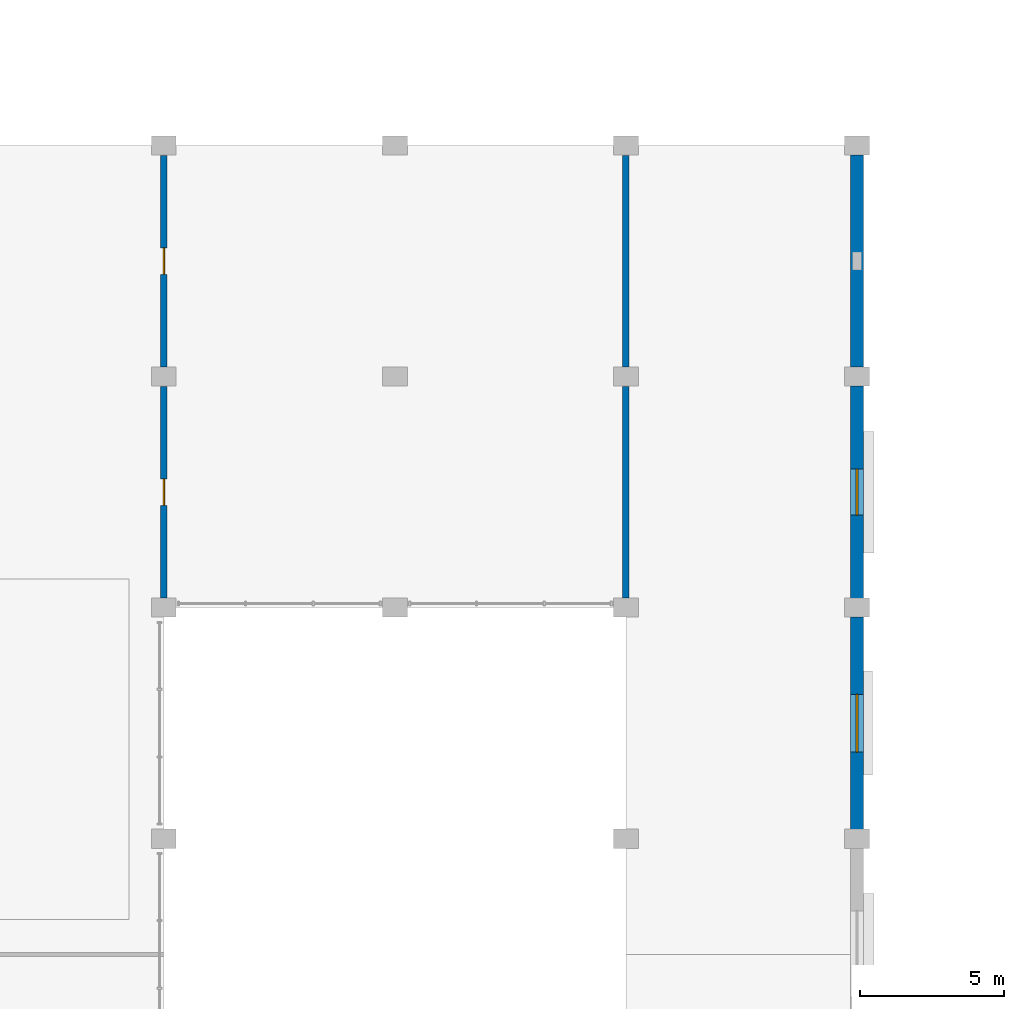
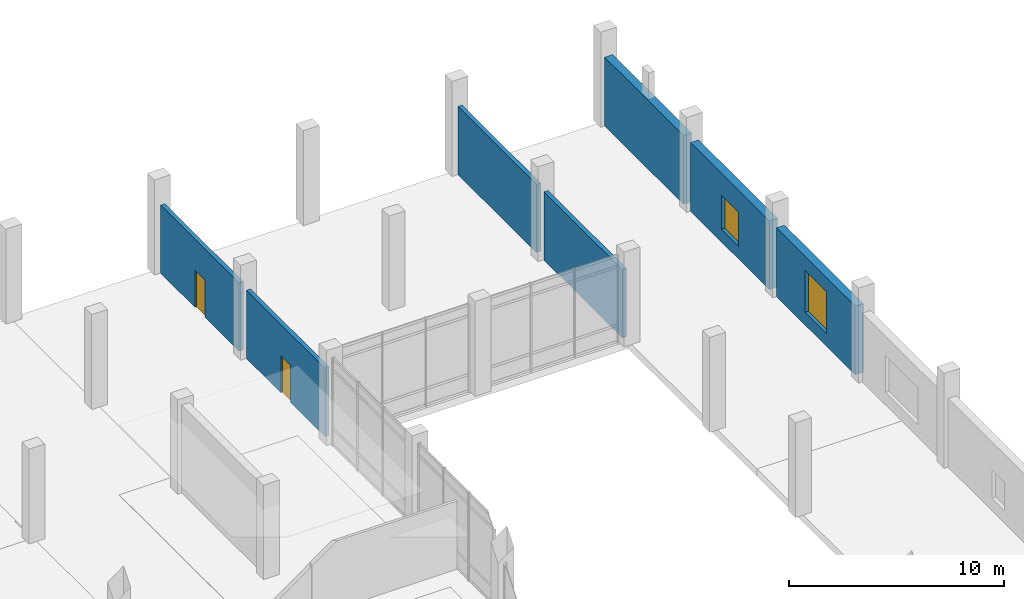
# One storey, part 30 of 42: 7 walls, 2 doors, 2 windows, 4 openings.
"""IFC4 building model written with IfcOpenShell, lengths in metres."""

import ifcopenshell
import ifcopenshell.guid

model = None  # the IFC model being written
_history = None  # IfcOwnerHistory: only IFC2X3 demands one
_inside = {}  # id of a spatial element -> (the spatial element, [elements in it])
_under = {}  # id of a project, library or spatial element -> (it, [spatial elements below it])
_declared = {}  # id of a project -> (the project, [libraries it declares])
_typed = {}  # id of a type object -> (the type object, [elements of that type])
_made_of = {}  # id of a material, layer set ... -> (it, [elements and type objects made of it])


def new_model(schema):
    """Start an empty IFC model of exactly this schema.

    Asked for "IFC4X3", IfcOpenShell would pick the latest addendum, in which some entities
    have other attributes; the version numbers below select the first issue.
    IFC2X3 requires an IfcOwnerHistory on every rooted entity: one is made here for all.
    """
    global model, _history
    if schema == "IFC4X3":
        model = ifcopenshell.file(schema_version=(4, 3, 0, 0))
    else:
        model = ifcopenshell.file(schema=schema)
    _inside.clear()
    _under.clear()
    _declared.clear()
    _typed.clear()
    _made_of.clear()
    _history = None
    if model.schema == "IFC2X3":
        org = make("IfcOrganization", Name="unknown")
        user = make(
            "IfcPersonAndOrganization",
            ThePerson=make("IfcPerson", FamilyName="unknown"),
            TheOrganization=org,
        )
        app = make(
            "IfcApplication",
            ApplicationDeveloper=org,
            Version="unknown",
            ApplicationFullName="unknown",
            ApplicationIdentifier="unknown",
        )
        _history = make(
            "IfcOwnerHistory",
            OwningUser=user,
            OwningApplication=app,
            ChangeAction="ADDED",
            CreationDate=0,
        )
    return model


def make(cls, **values):
    """One entity of the class cls with the attributes given. An attribute that is None is left unset."""
    return model.create_entity(
        cls, **{name: value for name, value in values.items() if value is not None}
    )


def rooted(cls, **values):
    """An entity with a GlobalId (a new one), such as an element, a storey or a relation."""
    return make(cls, GlobalId=ifcopenshell.guid.new(), OwnerHistory=_history, **values)


def si_unit(unit_type, name, prefix=None):
    """IfcSIUnit, for example si_unit("LENGTHUNIT", "METRE", prefix="MILLI")."""
    return make("IfcSIUnit", UnitType=unit_type, Prefix=prefix, Name=name)


def assignment(units):
    """IfcUnitAssignment: the units of a project."""
    return None if units is None else make("IfcUnitAssignment", Units=units)


def point(xyz):
    """IfcCartesianPoint."""
    return None if xyz is None else make("IfcCartesianPoint", Coordinates=xyz)


def direction(xyz):
    """IfcDirection."""
    return None if xyz is None else make("IfcDirection", DirectionRatios=xyz)


def frame(location, z_axis=None, x_axis=None):
    """IfcAxis2Placement3D, a coordinate frame: its origin and axes. An axis left out is left unset."""
    return make(
        "IfcAxis2Placement3D",
        Location=point(location),
        Axis=direction(z_axis),
        RefDirection=direction(x_axis),
    )


def frame_2d(location, x_axis=None):
    """IfcAxis2Placement2D, a coordinate frame in the plane: its origin and x axis."""
    return make(
        "IfcAxis2Placement2D", Location=point(location), RefDirection=direction(x_axis)
    )


def origin():
    """The frame at (0, 0, 0) with its axes left unset."""
    return frame((0.0, 0.0, 0.0))


def place(relative_to, where):
    """IfcLocalPlacement: puts the frame where relative to a parent placement (None: the world)."""
    return make(
        "IfcLocalPlacement", PlacementRelTo=relative_to, RelativePlacement=where
    )


def context(
    kind, dimensions, precision=None, world=None, true_north=None, identifier=None
):
    """IfcGeometricRepresentationContext, for example the 3D "Model" context."""
    return make(
        "IfcGeometricRepresentationContext",
        ContextIdentifier=identifier,
        ContextType=kind,
        CoordinateSpaceDimension=dimensions,
        Precision=precision,
        WorldCoordinateSystem=world,
        TrueNorth=true_north,
    )


def subcontext(parent, identifier, kind, view, scale=None):
    """IfcGeometricRepresentationSubContext, for example "Body" below "Model"."""
    return make(
        "IfcGeometricRepresentationSubContext",
        ContextIdentifier=identifier,
        ContextType=kind,
        ParentContext=parent,
        TargetScale=scale,
        TargetView=view,
    )


def project(units=None, contexts=None):
    """IfcProject with its units and contexts."""
    return rooted(
        "IfcProject",
        Name="project",
        RepresentationContexts=contexts,
        UnitsInContext=assignment(units),
    )


def spatial(cls, under=None, at=None, **own):
    """A site, building, storey or space (cls), placed at a placement, below another one or the project."""
    s = rooted(cls, ObjectPlacement=at, **own)
    if under is not None:
        _under.setdefault(under.id(), (under, []))[1].append(s)
    return s


def profile(cls, at=None, kind="AREA", **sizes):
    """A parametric profile (cls). Its sizes go by their IFC names, for example OverallWidth=200.0."""
    return make(cls, ProfileType=kind, Position=at, **sizes)


def rectangle(**sizes):
    """IfcRectangleProfileDef."""
    return profile("IfcRectangleProfileDef", **sizes)


def extrude(swept, where, along, depth):
    """IfcExtrudedAreaSolid: the profile swept, set in the frame where, extruded along a direction by depth."""
    return make(
        "IfcExtrudedAreaSolid",
        SweptArea=swept,
        Position=where,
        ExtrudedDirection=direction(along),
        Depth=depth,
    )


def shape(context_of_items, identifier, shape_type, items):
    """IfcShapeRepresentation: the items that make up one representation, for example the "Body"."""
    return make(
        "IfcShapeRepresentation",
        ContextOfItems=context_of_items,
        RepresentationIdentifier=identifier,
        RepresentationType=shape_type,
        Items=items,
    )


def material(Name=None, Category=None):
    """IfcMaterial."""
    return make("IfcMaterial", Name=Name, Category=Category)


def layer(
    of_material, thickness, ventilated=None, Name=None, Category=None, Priority=None
):
    """IfcMaterialLayer: one layer of a wall or slab, of a material (None: an air gap)."""
    return make(
        "IfcMaterialLayer",
        Material=of_material,
        LayerThickness=thickness,
        IsVentilated=ventilated,
        Name=Name,
        Category=Category,
        Priority=Priority,
    )


def layer_set(layers, Name=None):
    """IfcMaterialLayerSet."""
    return make("IfcMaterialLayerSet", MaterialLayers=layers, LayerSetName=Name)


def made_of(thing, what):
    """Note that an element or type object is made of a material, layer set ...; save() writes the relation."""
    if what is not None:
        _made_of.setdefault(what.id(), (what, []))[1].append(thing)
    return thing


def type_object(cls, material=None, **own):
    """A type object (cls), such as IfcWallType, which elements share."""
    return made_of(rooted(cls, **own), material)


def element(
    cls,
    number,
    at=None,
    inside=None,
    cuts=None,
    type_object=None,
    material=None,
    context=None,
    identifier="Body",
    shape_type=None,
    held_by="IfcProductDefinitionShape",
    body=None,
    shapes=None,
    **own,
):
    """One element of the class cls, such as IfcWall. Its Tag is "e" and its number.

    at: its placement. inside: the storey or other place that contains it. cuts: it is an
    opening in that element (IfcRelVoidsElement). A single representation is given by context,
    identifier, shape_type and body (its items); several are given by shapes. held_by: the class
    of the entity that holds the representations. save() writes the other relations.
    """
    e = rooted(cls, Tag="e%d" % number, ObjectPlacement=at, **own)
    if body is not None:
        shapes = [shape(context, identifier, shape_type, body)]
    if shapes is not None:
        e.Representation = make(held_by, Representations=shapes)
    if inside is not None:
        _inside.setdefault(inside.id(), (inside, []))[1].append(e)
    if cuts is not None:
        rooted(
            "IfcRelVoidsElement", RelatingBuildingElement=cuts, RelatedOpeningElement=e
        )
    if type_object is not None:
        _typed.setdefault(type_object.id(), (type_object, []))[1].append(e)
    return made_of(e, material)


def fill(opening, filler):
    """IfcRelFillsElement: the door or window that sits in an opening."""
    return rooted(
        "IfcRelFillsElement",
        RelatingOpeningElement=opening,
        RelatedBuildingElement=filler,
    )


def aggregate(whole, parts):
    """IfcRelAggregates: a whole, such as a stair, and the parts it consists of."""
    return rooted("IfcRelAggregates", RelatingObject=whole, RelatedObjects=parts)


def save(model, path):
    """Write the relations noted so far, then the file.

    IfcRelAggregates (storeys below a building ...), IfcRelContainedInSpatialStructure (elements
    in a storey), IfcRelDefinesByType, IfcRelAssociatesMaterial and IfcRelDeclares: one each for
    every whole, place, type object, material and project.
    """
    for whole, parts in _under.values():
        aggregate(whole, parts)
    for where, things in _inside.values():
        rooted(
            "IfcRelContainedInSpatialStructure",
            RelatedElements=things,
            RelatingStructure=where,
        )
    for kind, things in _typed.values():
        rooted("IfcRelDefinesByType", RelatedObjects=things, RelatingType=kind)
    for what, things in _made_of.values():
        rooted("IfcRelAssociatesMaterial", RelatedObjects=things, RelatingMaterial=what)
    for by, libraries in _declared.values():
        rooted("IfcRelDeclares", RelatingContext=by, RelatedDefinitions=libraries)
    model.write(path)


model = new_model("IFC4")

# Units and contexts
model_context = context("Model", 3, precision=1e-05, world=origin(), true_north=direction((0.0, 1.0)))
body_context = subcontext(model_context, "Body", "Model", "MODEL_VIEW")
ifc_project = project(units=[si_unit("LENGTHUNIT", "METRE"), si_unit("AREAUNIT", "SQUARE_METRE"), si_unit("VOLUMEUNIT", "CUBIC_METRE"), si_unit("PLANEANGLEUNIT", "RADIAN"), si_unit("MASSUNIT", "GRAM", prefix="KILO")], contexts=[model_context])

# Site, building, storey
site_placement = place(None, origin())
site = spatial("IfcSite", under=ifc_project, at=site_placement, CompositionType="ELEMENT")
building_placement = place(site_placement, origin())
building = spatial("IfcBuilding", under=site, at=building_placement, Name="Pecanmere Concourse Central Library", CompositionType="ELEMENT")
storey_placement = place(building_placement, origin())
storey = spatial("IfcBuildingStorey", under=building, at=storey_placement, Name="L01", CompositionType="ELEMENT", Elevation=0.0)

# Wall, opening, window
ifc_material_1 = material(Name="Texas cream limestone ashlar masonry", Category="masonry")
ifc_layer_1 = layer(ifc_material_1, 0.43994140625, Name="EW_LIME_440")
ifc_layer_set_1 = layer_set([ifc_layer_1], Name="Texas cream limestone ashlar masonry")
wall_type_1 = type_object("IfcWallType", Name="EW_LIME_440", PredefinedType="STANDARD", material=ifc_layer_set_1)
wall_1_placement = place(storey_placement, frame((152.0, 82.324951171875, 0.0), z_axis=(0.0, 0.0, 1.0), x_axis=(0.0, 1.0, 0.0)))
wall_1 = element("IfcWall", 1, at=wall_1_placement, inside=storey, type_object=wall_type_1, Name="Limestone Facade Wall L01-0136", PredefinedType="STANDARD", context=body_context, shape_type="SweptSolid", body=[
    extrude(rectangle(XDim=7.35009765625, YDim=0.43994140625, at=frame_2d((3.675048828125, 0.0))), origin(), (0.0, 0.0, 1.0), 3.909912109375),
])
opening_1_placement = place(wall_1_placement, frame((2.675048828125, 0.0, 0.719970703125)))
opening_1 = element("IfcOpeningElement", 2, at=opening_1_placement, cuts=wall_1, Name="Opening WN-03", PredefinedType="OPENING", context=body_context, shape_type="SweptSolid", body=[
    extrude(rectangle(XDim=2.0, YDim=2.39990234375, at=frame_2d((1.0, 1.199951171875))), frame((0.0, 0.23193359375, 0.0), z_axis=(0.0, -1.0, 0.0), x_axis=(1.0, 0.0, 0.0)), (0.0, 0.0, 1.0), 0.4638671875),
])
ifc_material_2 = material(Name="Low-iron clear insulated glazing", Category="glass")
window_type_1 = type_object("IfcWindowType", Name="WIN_2000x2400", PartitioningType="SINGLE_PANEL", PredefinedType="WINDOW", material=ifc_material_2)
window_1_placement = place(opening_1_placement, origin())
window_1 = element("IfcWindow", 3, at=window_1_placement, inside=storey, type_object=window_type_1, Name="WN-119", OverallHeight=2.39990234375, OverallWidth=2.0, PartitioningType="SINGLE_PANEL", PredefinedType="WINDOW", context=body_context, shape_type="SweptSolid", body=[
    extrude(rectangle(XDim=2.0, YDim=2.39990234375, at=frame_2d((1.0, 1.199951171875))), frame((0.0, 0.030029296875, 0.0), z_axis=(0.0, -1.0, 0.0), x_axis=(1.0, 0.0, 0.0)), (0.0, 0.0, 1.0), 0.06005859375),
])
fill(opening_1, window_1)

wall_2_placement = place(storey_placement, frame((152.0, 90.324951171875, 0.0), z_axis=(0.0, 0.0, 1.0), x_axis=(0.0, 1.0, 0.0)))
wall_2 = element("IfcWall", 4, at=wall_2_placement, inside=storey, type_object=wall_type_1, Name="Limestone Facade Wall L01-0138", PredefinedType="STANDARD", context=body_context, shape_type="SweptSolid", body=[
    extrude(rectangle(XDim=7.35009765625, YDim=0.43994140625, at=frame_2d((3.675048828125, 0.0))), origin(), (0.0, 0.0, 1.0), 3.909912109375),
])
opening_2_placement = place(wall_2_placement, frame((2.875, 0.0, 0.719970703125)))
opening_2 = element("IfcOpeningElement", 5, at=opening_2_placement, cuts=wall_2, Name="Opening WN-07", PredefinedType="OPENING", context=body_context, shape_type="SweptSolid", body=[
    extrude(rectangle(XDim=1.60009765625, YDim=1.949951171875, at=frame_2d((0.800048828125, 0.97509765625))), frame((0.0, 0.23193359375, 0.0), z_axis=(0.0, -1.0, 0.0), x_axis=(1.0, 0.0, 0.0)), (0.0, 0.0, 1.0), 0.4638671875),
])
ifc_material_3 = material(Name="Low-iron clear insulated glazing", Category="glass")
window_type_2 = type_object("IfcWindowType", Name="WIN_1600x1950", PartitioningType="SINGLE_PANEL", PredefinedType="WINDOW", material=ifc_material_3)
window_2_placement = place(opening_2_placement, origin())
window_2 = element("IfcWindow", 6, at=window_2_placement, inside=storey, type_object=window_type_2, Name="WN-121", OverallHeight=1.949951171875, OverallWidth=1.60009765625, PartitioningType="SINGLE_PANEL", PredefinedType="WINDOW", context=body_context, shape_type="SweptSolid", body=[
    extrude(rectangle(XDim=1.60009765625, YDim=1.949951171875, at=frame_2d((0.800048828125, 0.97509765625))), frame((0.0, 0.030029296875, 0.0), z_axis=(0.0, -1.0, 0.0), x_axis=(1.0, 0.0, 0.0)), (0.0, 0.0, 1.0), 0.06005859375),
])
fill(opening_2, window_2)

# Wall
wall_3_placement = place(storey_placement, frame((152.0, 98.324951171875, 0.0), z_axis=(0.0, 0.0, 1.0), x_axis=(0.0, 1.0, 0.0)))
element("IfcWall", 7, at=wall_3_placement, inside=storey, type_object=wall_type_1, Name="Limestone Facade Wall L01-0140", PredefinedType="STANDARD", context=body_context, shape_type="SweptSolid", body=[
    extrude(rectangle(XDim=7.35009765625, YDim=0.43994140625, at=frame_2d((3.675048828125, 0.0))), origin(), (0.0, 0.0, 1.0), 3.909912109375),
])

# Wall, opening, door
ifc_material_4 = material(Name="Concrete masonry unit ASTM C90", Category="masonry")
ifc_layer_2 = layer(ifc_material_4, 0.22509765625, Name="IW_PLUMB_225")
ifc_layer_set_2 = layer_set([ifc_layer_2], Name="Concrete masonry unit ASTM C90")
wall_type_2 = type_object("IfcWallType", Name="IW_PLUMB_225", PredefinedType="PARTITIONING", material=ifc_layer_set_2)
wall_4_placement = place(storey_placement, frame((128.0, 90.340087890625, 0.0), z_axis=(0.0, 0.0, 1.0), x_axis=(0.0, 1.0, 0.0)))
wall_4 = element("IfcWall", 8, at=wall_4_placement, inside=storey, type_object=wall_type_2, Name="Interior Partition L01-0124", PredefinedType="PARTITIONING", context=body_context, shape_type="SweptSolid", body=[
    extrude(rectangle(XDim=7.31982421875, YDim=0.22509765625, at=frame_2d((3.659912109375, 0.0))), origin(), (0.0, 0.0, 1.0), 3.8798828125),
])
opening_3_placement = place(wall_4_placement, frame((3.199951171875, 0.0, 0.0)))
opening_3 = element("IfcOpeningElement", 9, at=opening_3_placement, cuts=wall_4, Name="Opening DT-07", PredefinedType="OPENING", context=body_context, shape_type="SweptSolid", body=[
    extrude(rectangle(XDim=0.919921875, YDim=2.10009765625, at=frame_2d((0.4599609375, 1.050048828125))), frame((0.0, 0.12451171875, 0.0), z_axis=(0.0, -1.0, 0.0), x_axis=(1.0, 0.0, 0.0)), (0.0, 0.0, 1.0), 0.2490234375),
])
ifc_material_5 = material(Name="Solid white oak architectural joinery")
door_type_1 = type_object("IfcDoorType", Name="DT-07", OperationType="SINGLE_SWING_LEFT", PredefinedType="DOOR", material=ifc_material_5)
door_1_placement = place(opening_3_placement, origin())
door_1 = element("IfcDoor", 10, at=door_1_placement, inside=storey, type_object=door_type_1, Name="D-182", OperationType="SINGLE_SWING_LEFT", OverallHeight=2.10009765625, OverallWidth=0.919921875, PredefinedType="DOOR", context=body_context, shape_type="SweptSolid", body=[
    extrude(rectangle(XDim=0.919921875, YDim=2.10009765625, at=frame_2d((0.4599609375, 1.050048828125))), frame((0.0, 0.02490234375, 0.0), z_axis=(0.0, -1.0, 0.0), x_axis=(1.0, 0.0, 0.0)), (0.0, 0.0, 1.0), 0.050048828125),
])
fill(opening_3, door_1)

wall_5_placement = place(storey_placement, frame((128.0, 98.340087890625, 0.0), z_axis=(0.0, 0.0, 1.0), x_axis=(0.0, 1.0, 0.0)))
wall_5 = element("IfcWall", 11, at=wall_5_placement, inside=storey, type_object=wall_type_2, Name="Interior Partition L01-0125", PredefinedType="PARTITIONING", context=body_context, shape_type="SweptSolid", body=[
    extrude(rectangle(XDim=7.31982421875, YDim=0.22509765625, at=frame_2d((3.659912109375, 0.0))), origin(), (0.0, 0.0, 1.0), 3.8798828125),
])
opening_4_placement = place(wall_5_placement, frame((3.199951171875, 0.0, 0.0)))
opening_4 = element("IfcOpeningElement", 12, at=opening_4_placement, cuts=wall_5, Name="Opening DT-08", PredefinedType="OPENING", context=body_context, shape_type="SweptSolid", body=[
    extrude(rectangle(XDim=0.919921875, YDim=2.10009765625, at=frame_2d((0.4599609375, 1.050048828125))), frame((0.0, 0.12451171875, 0.0), z_axis=(0.0, -1.0, 0.0), x_axis=(1.0, 0.0, 0.0)), (0.0, 0.0, 1.0), 0.2490234375),
])
ifc_material_6 = material(Name="Solid white oak architectural joinery")
door_type_2 = type_object("IfcDoorType", Name="DT-08", OperationType="SINGLE_SWING_RIGHT", PredefinedType="DOOR", material=ifc_material_6)
door_2_placement = place(opening_4_placement, frame((0.919921875, 0.0, 0.0), z_axis=(0.0, 0.0, 1.0), x_axis=(-1.0, 0.0, 0.0)))
door_2 = element("IfcDoor", 13, at=door_2_placement, inside=storey, type_object=door_type_2, Name="D-183", OperationType="SINGLE_SWING_RIGHT", OverallHeight=2.10009765625, OverallWidth=0.919921875, PredefinedType="DOOR", context=body_context, shape_type="SweptSolid", body=[
    extrude(rectangle(XDim=0.919921875, YDim=2.10009765625, at=frame_2d((0.4599609375, 1.050048828125))), frame((0.0, 0.02490234375, 0.0), z_axis=(0.0, -1.0, 0.0), x_axis=(1.0, 0.0, 0.0)), (0.0, 0.0, 1.0), 0.050048828125),
])
fill(opening_4, door_2)

# Walls
for number, where, z_axis, x_axis, name in (
    (14, (144.0, 90.340087890625, 0.0), (0.0, 0.0, 1.0), (0.0, 1.0, 0.0), "Interior Partition L01-0126"),
    (15, (144.0, 98.340087890625, 0.0), (0.0, 0.0, 1.0), (0.0, 1.0, 0.0), "Interior Partition L01-0127"),
):
    element("IfcWall", number, at=place(storey_placement, frame(where, z_axis=z_axis, x_axis=x_axis)), inside=storey, type_object=wall_type_2, Name=name, PredefinedType="PARTITIONING", context=body_context, shape_type="SweptSolid", body=[
        extrude(rectangle(XDim=7.31982421875, YDim=0.22509765625, at=frame_2d((3.659912109375, 0.0))), origin(), (0.0, 0.0, 1.0), 3.8798828125),
    ])

save(model, "model.ifc")
